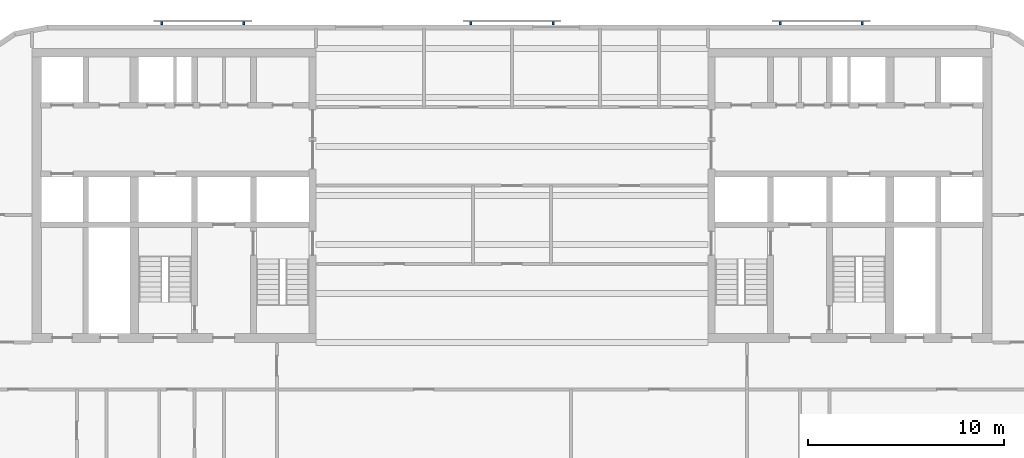
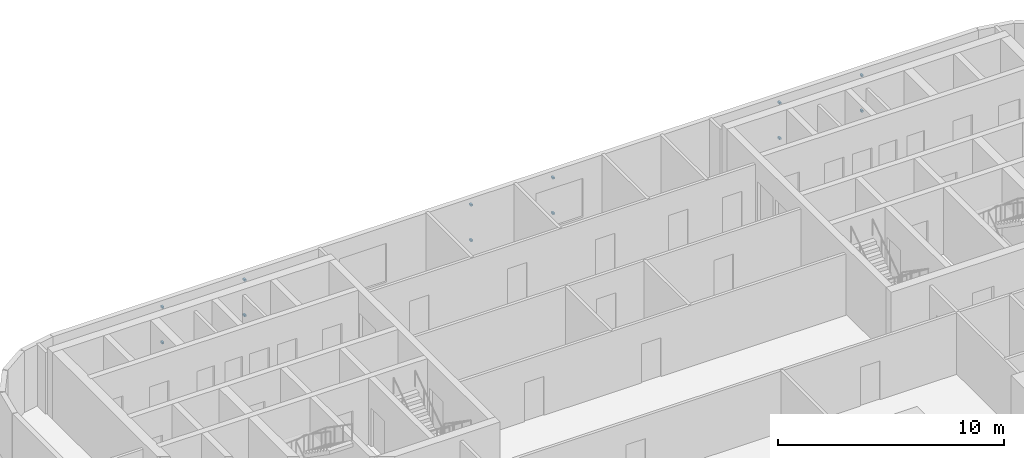
# One storey, part 8 of 11: 12 discrete accessories.
"""IFC4 building model written with IfcOpenShell, lengths in metres."""

from ifc_helpers import new_model, si_unit, direction, frame, origin, origin_2d, place, context, subcontext, project, spatial, rectangle, extrude, material, type_object, element, save


model = new_model("IFC4")

# Units and contexts
model_context = context("Model", 3, precision=1e-05, world=origin(), true_north=direction((0.0, 1.0)))
body_context = subcontext(model_context, "Body", "Model", "MODEL_VIEW")
ifc_project = project(units=[si_unit("LENGTHUNIT", "METRE"), si_unit("AREAUNIT", "SQUARE_METRE"), si_unit("VOLUMEUNIT", "CUBIC_METRE"), si_unit("PLANEANGLEUNIT", "RADIAN"), si_unit("MASSUNIT", "GRAM", prefix="KILO")], contexts=[model_context])

# Site, building, storey
site_placement = place(None, origin())
site = spatial("IfcSite", under=ifc_project, at=site_placement, CompositionType="ELEMENT")
building_placement = place(site_placement, origin())
building = spatial("IfcBuilding", under=site, at=building_placement, Name="Torana Hotel and Residences", CompositionType="ELEMENT")
storey_placement = place(building_placement, frame((0.0, 0.0, 166.800048828125)))
storey = spatial("IfcBuildingStorey", under=building, at=storey_placement, Name="L43", CompositionType="ELEMENT", Elevation=166.800048828125)

# Discrete accessories
ifc_material = material(Name="Steel S355", Category="steel")
discrete_accessory_type = type_object("IfcDiscreteAccessoryType", Name="SCREEN BRACKET 100", PredefinedType="BRACKET", material=ifc_material)
for number, where, z_axis, x_axis, name in (
    (1, (17.883544921875, 1.27490234375, 0.75), (0.0, 0.0, 1.0), (-1.0, 0.0, 0.0), "Screen bracket L43"),
    (2, (17.883544921875, 1.27490234375, 2.669921875), (0.0, 0.0, 1.0), (-1.0, 0.0, 0.0), "Screen bracket L43"),
    (3, (13.68359375, 1.27490234375, 0.75), (0.0, 0.0, 1.0), (-1.0, 0.0, 0.0), "Screen bracket L43"),
    (4, (13.68359375, 1.27490234375, 2.669921875), (0.0, 0.0, 1.0), (-1.0, 0.0, 0.0), "Screen bracket L43"),
    (5, (2.10009765625, 1.27490234375, 0.75), (0.0, 0.0, 1.0), (-1.0, 0.0, 0.0), "Screen bracket L43"),
    (6, (2.10009765625, 1.27490234375, 2.669921875), (0.0, 0.0, 1.0), (-1.0, 0.0, 0.0), "Screen bracket L43"),
    (7, (-2.10009765625, 1.27490234375, 0.75), (0.0, 0.0, 1.0), (-1.0, 0.0, 0.0), "Screen bracket L43"),
    (8, (-2.10009765625, 1.27490234375, 2.669921875), (0.0, 0.0, 1.0), (-1.0, 0.0, 0.0), "Screen bracket L43"),
    (9, (-13.68359375, 1.27490234375, 0.75), (0.0, 0.0, 1.0), (-1.0, 0.0, 0.0), "Screen bracket L43"),
    (10, (-13.68359375, 1.27490234375, 2.669921875), (0.0, 0.0, 1.0), (-1.0, 0.0, 0.0), "Screen bracket L43"),
    (11, (-17.883544921875, 1.27490234375, 0.75), (0.0, 0.0, 1.0), (-1.0, 0.0, 0.0), "Screen bracket L43"),
    (12, (-17.883544921875, 1.27490234375, 2.669921875), (0.0, 0.0, 1.0), (-1.0, 0.0, 0.0), "Screen bracket L43"),
):
    element("IfcDiscreteAccessory", number, at=place(storey_placement, frame(where, z_axis=z_axis, x_axis=x_axis)), inside=storey, type_object=discrete_accessory_type, Name=name, PredefinedType="BRACKET", context=body_context, shape_type="SweptSolid", body=[
        extrude(rectangle(XDim=0.10009765625, YDim=0.14990234375, at=origin_2d()), origin(), (0.0, 0.0, 1.0), 0.10009765625),
    ])

save(model, "model.ifc")
